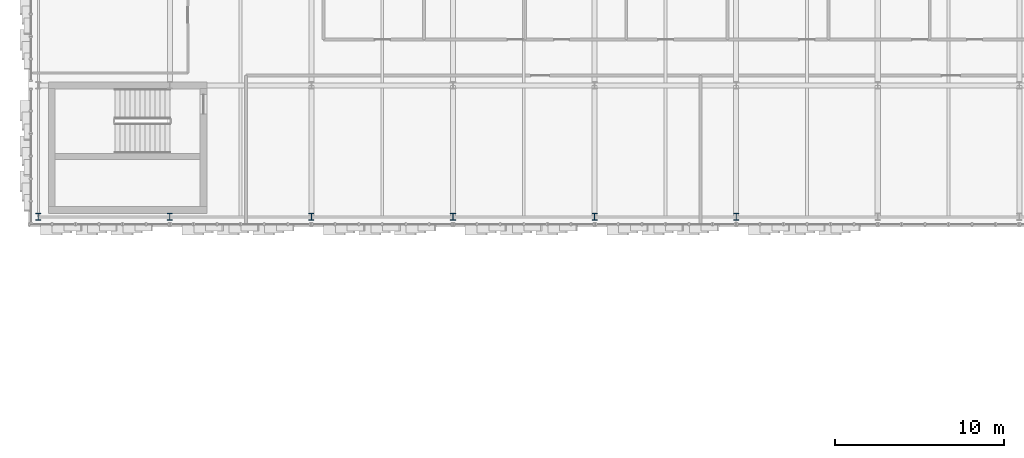
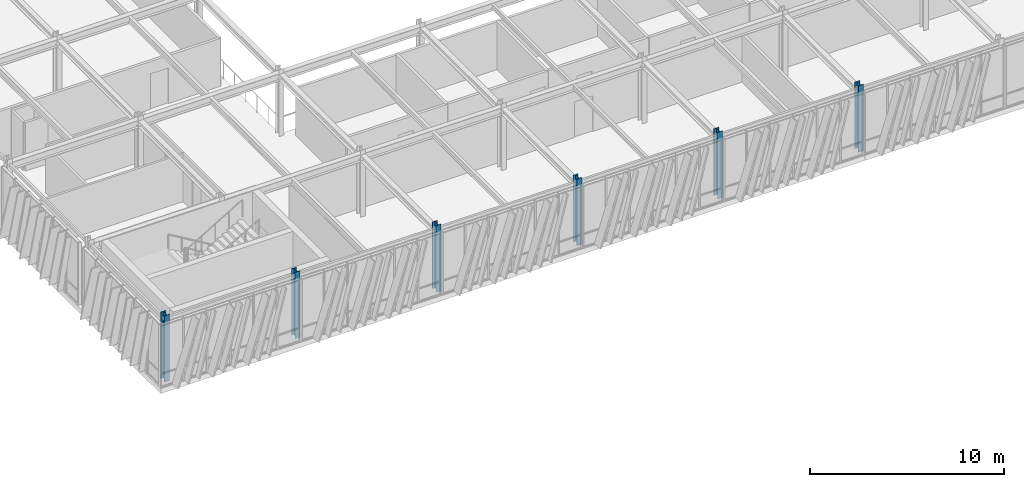
# One storey, part 2 of 127: 6 columns.
"""IFC4 building model written with IfcOpenShell, lengths in metres."""

from ifc_helpers import new_model, si_unit, direction, frame, origin, origin_2d, place, context, subcontext, project, spatial, i_section, extrude, material, material_profile, profile_set, type_object, element, save


model = new_model("IFC4")

# Units and contexts
model_context = context("Model", 3, precision=1e-05, world=origin(), true_north=direction((0.0, 1.0)))
body_context = subcontext(model_context, "Body", "Model", "MODEL_VIEW")
ifc_project = project(units=[si_unit("LENGTHUNIT", "METRE"), si_unit("AREAUNIT", "SQUARE_METRE"), si_unit("VOLUMEUNIT", "CUBIC_METRE"), si_unit("PLANEANGLEUNIT", "RADIAN"), si_unit("MASSUNIT", "GRAM", prefix="KILO")], contexts=[model_context])

# Site, building, storey
site_placement = place(None, origin())
site = spatial("IfcSite", under=ifc_project, at=site_placement, CompositionType="ELEMENT")
building_placement = place(site_placement, origin())
building = spatial("IfcBuilding", under=site, at=building_placement, Name="Zayran Congress Hotel", CompositionType="ELEMENT")
storey_placement = place(building_placement, frame((0.0, 0.0, 10.800048828125)))
storey = spatial("IfcBuildingStorey", under=building, at=storey_placement, Name="L02", CompositionType="ELEMENT", Elevation=10.800048828125)

# Columns
ifc_material = material(Name="Steel S355", Category="steel")
ifc_material_profile = material_profile(ifc_material, i_section(OverallWidth=0.300048828125, OverallDepth=0.39990234375, WebThickness=0.013427734375, FlangeThickness=0.02392578125, at=origin_2d()), Name="HEB 400")
ifc_profile_set = profile_set([ifc_material_profile], Name="Steel S355")
column_type = type_object("IfcColumnType", Name="TP-CL-07", PredefinedType="COLUMN", material=ifc_profile_set)
for number, where, z_axis, x_axis, name in (
    (1, (9.0, 68.199951171875, 0.0), (0.0, 0.0, 1.0), (1.0, 0.0, 0.0), "COL-V1-L02-0387"),
    (2, (16.800048828125, 68.199951171875, 0.0), (0.0, 0.0, 1.0), (1.0, 0.0, 0.0), "COL-V1-L02-0394"),
    (3, (25.199951171875, 68.199951171875, 0.0), (0.0, 0.0, 1.0), (1.0, 0.0, 0.0), "COL-V1-L02-0401"),
    (4, (33.60009765625, 68.199951171875, 0.0), (0.0, 0.0, 1.0), (1.0, 0.0, 0.0), "COL-V1-L02-0408"),
    (5, (42.0, 68.199951171875, 0.0), (0.0, 0.0, 1.0), (1.0, 0.0, 0.0), "COL-V1-L02-0413"),
    (6, (50.39990234375, 68.199951171875, 0.0), (0.0, 0.0, 1.0), (1.0, 0.0, 0.0), "COL-V1-L02-0418"),
):
    element("IfcColumn", number, at=place(storey_placement, frame(where, z_axis=z_axis, x_axis=x_axis)), inside=storey, type_object=column_type, Name=name, PredefinedType="COLUMN", context=body_context, shape_type="SweptSolid", body=[
        extrude(i_section(OverallWidth=0.300048828125, OverallDepth=0.39990234375, WebThickness=0.013427734375, FlangeThickness=0.02392578125, at=origin_2d()), origin(), (0.0, 0.0, 1.0), 4.199951171875),
    ])

save(model, "model.ifc")
